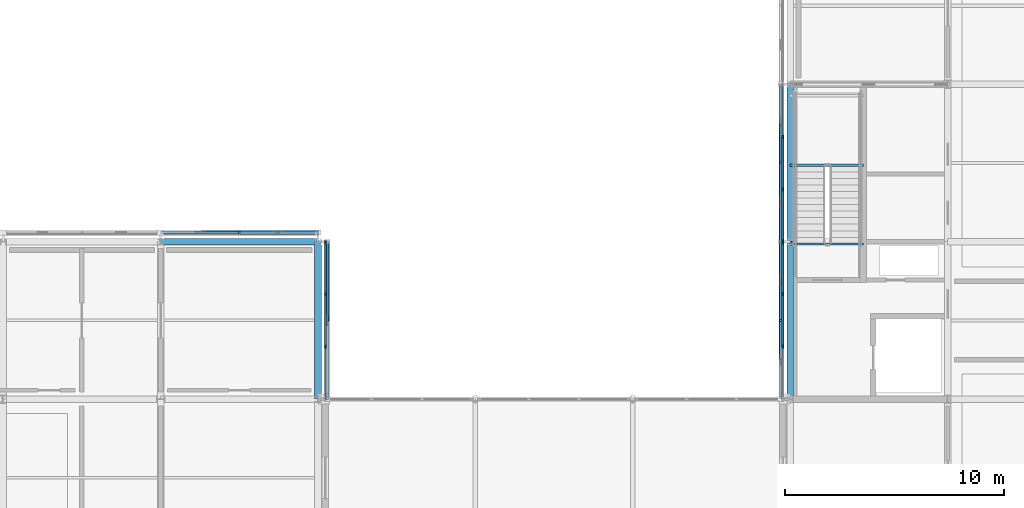
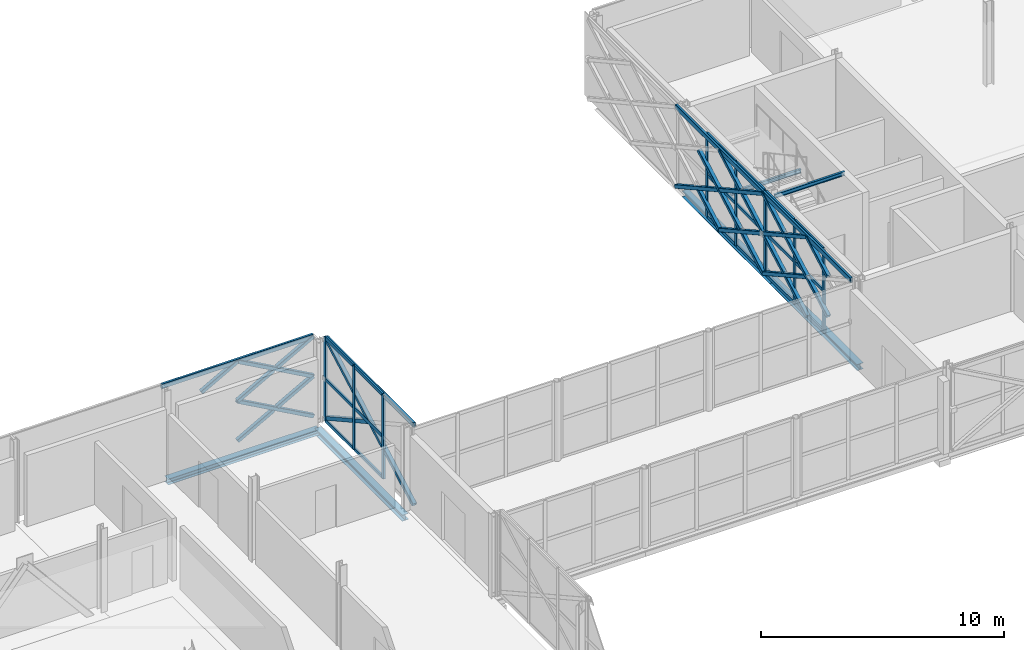
# One storey, part 51 of 103: 57 members, 6 beams, 3 elements without a shape of their own.
"""IFC4 building model written with IfcOpenShell, lengths in metres."""

from ifc_helpers import new_model, si_unit, direction, frame, origin, origin_2d, place, context, subcontext, project, spatial, rectangle, hollow_rectangle, i_section, extrude, material, material_profile, profile_set, type_object, element, aggregate, save


model = new_model("IFC4")

# Units and contexts
model_context = context("Model", 3, precision=1e-05, world=origin(), true_north=direction((0.0, 1.0)))
body_context = subcontext(model_context, "Body", "Model", "MODEL_VIEW")
ifc_project = project(units=[si_unit("LENGTHUNIT", "METRE"), si_unit("AREAUNIT", "SQUARE_METRE"), si_unit("VOLUMEUNIT", "CUBIC_METRE"), si_unit("PLANEANGLEUNIT", "RADIAN"), si_unit("MASSUNIT", "GRAM", prefix="KILO")], contexts=[model_context])

# Site, building, storey
site_placement = place(None, origin())
site = spatial("IfcSite", under=ifc_project, at=site_placement, CompositionType="ELEMENT")
building_placement = place(site_placement, origin())
building = spatial("IfcBuilding", under=site, at=building_placement, Name="Zlatovets Crest Museum", CompositionType="ELEMENT")
storey_placement = place(building_placement, frame((0.0, 0.0, 12.89990234375)))
storey = spatial("IfcBuildingStorey", under=building, at=storey_placement, Name="L03", CompositionType="ELEMENT", Elevation=12.89990234375)

# Beams
ifc_material_1 = material(Name="Structural steel S355J2", Category="steel")
ifc_material_profile_1 = material_profile(ifc_material_1, i_section(OverallWidth=0.300048828125, OverallDepth=0.31005859375, WebThickness=0.009033203125, FlangeThickness=0.015380859375, FilletRadius=0.027099609375, at=origin_2d()), Name="HEA 320")
ifc_profile_set_1 = profile_set([ifc_material_profile_1], Name="Structural steel S355J2")
beam_type_1 = type_object("IfcBeamType", Name="Beam_B-04", PredefinedType="BEAM", material=ifc_profile_set_1)
for number, where, z_axis, x_axis, name in (
    (1, (57.60009765625, 93.60009765625, -0.39501953125), (0.0, 1.0, 0.0), (-1.0, 0.0, 0.0), "V1 L03 Grid Beam B-04"),
    (2, (57.60009765625, 100.800048828125, -0.39501953125), (0.0, 1.0, 0.0), (-1.0, 0.0, 0.0), "V1 L03 Grid Beam B-04"),
    (3, (36.0, 93.60009765625, -0.39501953125), (0.0, 1.0, 0.0), (-1.0, 0.0, 0.0), "V4 L03 Grid Beam B-04"),
):
    element("IfcBeam", number, at=place(storey_placement, frame(where, z_axis=z_axis, x_axis=x_axis)), inside=storey, type_object=beam_type_1, Name=name, PredefinedType="BEAM", context=body_context, shape_type="SweptSolid", body=[
        extrude(i_section(OverallWidth=0.300048828125, OverallDepth=0.31005859375, WebThickness=0.009033203125, FlangeThickness=0.015380859375, FilletRadius=0.027099609375, at=origin_2d()), origin(), (0.0, 0.0, 1.0), 7.199951171875),
    ])
ifc_material_profile_2 = material_profile(ifc_material_1, i_section(OverallWidth=0.300048828125, OverallDepth=0.2900390625, WebThickness=0.008544921875, FlangeThickness=0.013916015625, FilletRadius=0.027099609375, at=origin_2d()), Name="HEA 300")
ifc_profile_set_2 = profile_set([ifc_material_profile_2], Name="Structural steel S355J2")
beam_type_2 = type_object("IfcBeamType", Name="Beam_B-12", PredefinedType="BEAM", material=ifc_profile_set_2)
beam_placement = place(storey_placement, frame((28.800048828125, 100.800048828125, -0.385009765625), z_axis=(1.0, 0.0, 0.0), x_axis=(0.0, 1.0, 0.0)))
element("IfcBeam", 4, at=beam_placement, inside=storey, type_object=beam_type_2, Name="V4 L03 Primary Girder B-12", PredefinedType="BEAM", context=body_context, shape_type="SweptSolid", body=[
    extrude(i_section(OverallWidth=0.300048828125, OverallDepth=0.2900390625, WebThickness=0.008544921875, FlangeThickness=0.013916015625, FilletRadius=0.027099609375, at=origin_2d()), origin(), (0.0, 0.0, 1.0), 7.199951171875),
])
ifc_material_profile_3 = material_profile(ifc_material_1, i_section(OverallWidth=0.10009765625, OverallDepth=0.199951171875, WebThickness=0.005615234375, FlangeThickness=0.008544921875, FilletRadius=0.011962890625, at=origin_2d()), Name="IPE 200")
ifc_profile_set_3 = profile_set([ifc_material_profile_3], Name="Structural steel S355J2")
beam_type_3 = type_object("IfcBeamType", Name="Beam_PR-02", PredefinedType="LINTEL", material=ifc_profile_set_3)
for number, where, z_axis, x_axis, name in (
    (5, (57.60009765625, 100.699951171875, 3.860107421875), (1.0, 0.0, 0.0), (0.0, 1.0, 0.0), "Core C1 L03 Stair Well Header Beam"),
    (6, (57.60009765625, 104.300048828125, 1.800048828125), (1.0, 0.0, 0.0), (0.0, 1.0, 0.0), "Core C1 L03 Half-Landing Support Beam"),
):
    element("IfcBeam", number, at=place(storey_placement, frame(where, z_axis=z_axis, x_axis=x_axis)), inside=storey, type_object=beam_type_3, Name=name, PredefinedType="LINTEL", context=body_context, shape_type="SweptSolid", body=[
        extrude(i_section(OverallWidth=0.10009765625, OverallDepth=0.199951171875, WebThickness=0.005615234375, FlangeThickness=0.008544921875, FilletRadius=0.011962890625, at=origin_2d()), origin(), (0.0, 0.0, 1.0), 3.349853515625),
    ])

# Curtain wall, members
ifc_material_2 = material(Name="Bronze-anodised aluminium and low-E triple glass", Category="aluminium")
curtain_wall_type_1 = type_object("IfcCurtainWallType", Name="CW_CW-V1-L03-M3", PredefinedType="NOTDEFINED", material=ifc_material_2)
curtain_wall_1_placement = place(storey_placement, origin())
curtain_wall_1 = element("IfcCurtainWall", 7, at=curtain_wall_1_placement, inside=storey, type_object=curtain_wall_type_1, Name="V1 L03 Expressed Core Glazed Facade", PredefinedType="NOTDEFINED")
ifc_material_3 = material(Name="Bronze-anodised aluminium EN AW-6060", Category="aluminium")
ifc_material_profile_4 = material_profile(ifc_material_3, rectangle(XDim=0.080078125, YDim=0.159912109375, at=origin_2d()), Name="ALU 80x160")
ifc_profile_set_4 = profile_set([ifc_material_profile_4], Name="Bronze-anodised aluminium EN AW-6060")
member_type_1 = type_object("IfcMemberType", Name="CWMull_M1", PredefinedType="MULLION", material=ifc_profile_set_4)
member_1_placement = place(storey_placement, frame((57.260009765625, 105.60009765625, 0.0), z_axis=(0.0, 0.0, 1.0), x_axis=(1.0, 0.0, 0.0)))
member_1 = element("IfcMember", 8, at=member_1_placement, type_object=member_type_1, Name="CW-V1-L03-M3 mullion 2", PredefinedType="MULLION", context=body_context, shape_type="SweptSolid", body=[
    extrude(rectangle(XDim=0.080078125, YDim=0.159912109375, at=origin_2d()), origin(), (0.0, 0.0, 1.0), 4.2001953125),
])
member_2_placement = place(storey_placement, frame((57.260009765625, 103.199951171875, 0.0), z_axis=(0.0, 0.0, 1.0), x_axis=(1.0, 0.0, 0.0)))
member_2 = element("IfcMember", 9, at=member_2_placement, type_object=member_type_1, Name="CW-V1-L03-M3 mullion 3", PredefinedType="MULLION", context=body_context, shape_type="SweptSolid", body=[
    extrude(rectangle(XDim=0.080078125, YDim=0.159912109375, at=origin_2d()), origin(), (0.0, 0.0, 1.0), 4.2001953125),
])
member_3_placement = place(storey_placement, frame((57.260009765625, 100.830078125, 0.0), z_axis=(0.0, 0.0, 1.0), x_axis=(1.0, 0.0, 0.0)))
member_3 = element("IfcMember", 10, at=member_3_placement, type_object=member_type_1, Name="CW-V1-L03-M3 mullion 4", PredefinedType="MULLION", context=body_context, shape_type="SweptSolid", body=[
    extrude(rectangle(XDim=0.080078125, YDim=0.159912109375, at=origin_2d()), origin(), (0.0, 0.0, 1.0), 4.2001953125),
])

curtain_wall_type_2 = type_object("IfcCurtainWallType", Name="CW_CW-V1-L03-M0", PredefinedType="NOTDEFINED", material=ifc_material_2)
curtain_wall_2_placement = place(storey_placement, origin())
curtain_wall_2 = element("IfcCurtainWall", 11, at=curtain_wall_2_placement, inside=storey, type_object=curtain_wall_type_2, Name="V1 L03 Expressed Core Glazed Facade", PredefinedType="NOTDEFINED")
member_4_placement = place(storey_placement, frame((57.260009765625, 100.77001953125, 0.0), z_axis=(0.0, 0.0, 1.0), x_axis=(1.0, 0.0, 0.0)))
member_4 = element("IfcMember", 12, at=member_4_placement, type_object=member_type_1, Name="CW-V1-L03-M0 mullion 1", PredefinedType="MULLION", context=body_context, shape_type="SweptSolid", body=[
    extrude(rectangle(XDim=0.080078125, YDim=0.159912109375, at=origin_2d()), origin(), (0.0, 0.0, 1.0), 4.2001953125),
])
member_5_placement = place(storey_placement, frame((57.260009765625, 98.39990234375, 0.0), z_axis=(0.0, 0.0, 1.0), x_axis=(1.0, 0.0, 0.0)))
member_5 = element("IfcMember", 13, at=member_5_placement, type_object=member_type_1, Name="CW-V1-L03-M0 mullion 2", PredefinedType="MULLION", context=body_context, shape_type="SweptSolid", body=[
    extrude(rectangle(XDim=0.080078125, YDim=0.159912109375, at=origin_2d()), origin(), (0.0, 0.0, 1.0), 4.2001953125),
])
member_6_placement = place(storey_placement, frame((57.260009765625, 96.0, 0.0), z_axis=(0.0, 0.0, 1.0), x_axis=(1.0, 0.0, 0.0)))
member_6 = element("IfcMember", 14, at=member_6_placement, type_object=member_type_1, Name="CW-V1-L03-M0 mullion 3", PredefinedType="MULLION", context=body_context, shape_type="SweptSolid", body=[
    extrude(rectangle(XDim=0.080078125, YDim=0.159912109375, at=origin_2d()), origin(), (0.0, 0.0, 1.0), 4.2001953125),
])

curtain_wall_type_3 = type_object("IfcCurtainWallType", Name="CW_CW-V4-L03-M2", PredefinedType="NOTDEFINED", material=ifc_material_2)
curtain_wall_3_placement = place(storey_placement, origin())
curtain_wall_3 = element("IfcCurtainWall", 15, at=curtain_wall_3_placement, inside=storey, type_object=curtain_wall_type_3, Name="V4 L03 Secession Foyer Clear Curtain Wall", PredefinedType="NOTDEFINED")
member_7_placement = place(storey_placement, frame((36.340087890625, 96.0, 0.0), z_axis=(0.0, 0.0, 1.0), x_axis=(-1.0, 0.0, 0.0)))
member_7 = element("IfcMember", 16, at=member_7_placement, type_object=member_type_1, Name="CW-V4-L03-M2 mullion 2", PredefinedType="MULLION", context=body_context, shape_type="SweptSolid", body=[
    extrude(rectangle(XDim=0.080078125, YDim=0.159912109375, at=origin_2d()), origin(), (0.0, 0.0, 1.0), 4.2001953125),
])
member_8_placement = place(storey_placement, frame((36.340087890625, 98.39990234375, 0.0), z_axis=(0.0, 0.0, 1.0), x_axis=(-1.0, 0.0, 0.0)))
member_8 = element("IfcMember", 17, at=member_8_placement, type_object=member_type_1, Name="CW-V4-L03-M2 mullion 3", PredefinedType="MULLION", context=body_context, shape_type="SweptSolid", body=[
    extrude(rectangle(XDim=0.080078125, YDim=0.159912109375, at=origin_2d()), origin(), (0.0, 0.0, 1.0), 4.2001953125),
])
member_9_placement = place(storey_placement, frame((36.340087890625, 100.77001953125, 0.0), z_axis=(0.0, 0.0, 1.0), x_axis=(-1.0, 0.0, 0.0)))
member_9 = element("IfcMember", 18, at=member_9_placement, type_object=member_type_1, Name="CW-V4-L03-M2 mullion 4", PredefinedType="MULLION", context=body_context, shape_type="SweptSolid", body=[
    extrude(rectangle(XDim=0.080078125, YDim=0.159912109375, at=origin_2d()), origin(), (0.0, 0.0, 1.0), 4.2001953125),
])

# Member
ifc_material_profile_5 = material_profile(ifc_material_3, rectangle(XDim=0.080078125, YDim=0.159912109375, at=origin_2d()), Name="ALU 80x160")
ifc_profile_set_5 = profile_set([ifc_material_profile_5], Name="Bronze-anodised aluminium EN AW-6060")
member_type_2 = type_object("IfcMemberType", Name="CWTrans_T1", PredefinedType="USERDEFINED", material=ifc_profile_set_5)
member_10_placement = place(storey_placement, frame((57.260009765625, 105.570068359375, 0.030029296875), z_axis=(0.0, -1.0, 0.0), x_axis=(1.0, 0.0, 0.0)))
member_10 = element("IfcMember", 19, at=member_10_placement, type_object=member_type_2, Name="CW-V1-L03-M3 transom 2.1", ObjectType="TRANSOM", PredefinedType="USERDEFINED", context=body_context, shape_type="SweptSolid", body=[
    extrude(rectangle(XDim=0.080078125, YDim=0.159912109375, at=origin_2d()), origin(), (0.0, 0.0, 1.0), 2.340087890625),
])

member_11_placement = place(storey_placement, frame((57.260009765625, 105.570068359375, 2.10009765625), z_axis=(0.0, -1.0, 0.0), x_axis=(1.0, 0.0, 0.0)))
member_11 = element("IfcMember", 20, at=member_11_placement, type_object=member_type_2, Name="CW-V1-L03-M3 transom 2.2", ObjectType="TRANSOM", PredefinedType="USERDEFINED", context=body_context, shape_type="SweptSolid", body=[
    extrude(rectangle(XDim=0.080078125, YDim=0.159912109375, at=origin_2d()), origin(), (0.0, 0.0, 1.0), 2.340087890625),
])

member_12_placement = place(storey_placement, frame((57.260009765625, 105.570068359375, 4.170166015625), z_axis=(0.0, -1.0, 0.0), x_axis=(1.0, 0.0, 0.0)))
member_12 = element("IfcMember", 21, at=member_12_placement, type_object=member_type_2, Name="CW-V1-L03-M3 transom 2.3", ObjectType="TRANSOM", PredefinedType="USERDEFINED", context=body_context, shape_type="SweptSolid", body=[
    extrude(rectangle(XDim=0.080078125, YDim=0.159912109375, at=origin_2d()), origin(), (0.0, 0.0, 1.0), 2.340087890625),
])

member_13_placement = place(storey_placement, frame((57.260009765625, 103.169921875, 0.030029296875), z_axis=(0.0, -1.0, 0.0), x_axis=(1.0, 0.0, 0.0)))
member_13 = element("IfcMember", 22, at=member_13_placement, type_object=member_type_2, Name="CW-V1-L03-M3 transom 3.1", ObjectType="TRANSOM", PredefinedType="USERDEFINED", context=body_context, shape_type="SweptSolid", body=[
    extrude(rectangle(XDim=0.080078125, YDim=0.159912109375, at=origin_2d()), origin(), (0.0, 0.0, 1.0), 2.309814453125),
])

member_14_placement = place(storey_placement, frame((57.260009765625, 103.169921875, 2.10009765625), z_axis=(0.0, -1.0, 0.0), x_axis=(1.0, 0.0, 0.0)))
member_14 = element("IfcMember", 23, at=member_14_placement, type_object=member_type_2, Name="CW-V1-L03-M3 transom 3.2", ObjectType="TRANSOM", PredefinedType="USERDEFINED", context=body_context, shape_type="SweptSolid", body=[
    extrude(rectangle(XDim=0.080078125, YDim=0.159912109375, at=origin_2d()), origin(), (0.0, 0.0, 1.0), 2.309814453125),
])

member_15_placement = place(storey_placement, frame((57.260009765625, 103.169921875, 4.170166015625), z_axis=(0.0, -1.0, 0.0), x_axis=(1.0, 0.0, 0.0)))
member_15 = element("IfcMember", 24, at=member_15_placement, type_object=member_type_2, Name="CW-V1-L03-M3 transom 3.3", ObjectType="TRANSOM", PredefinedType="USERDEFINED", context=body_context, shape_type="SweptSolid", body=[
    extrude(rectangle(XDim=0.080078125, YDim=0.159912109375, at=origin_2d()), origin(), (0.0, 0.0, 1.0), 2.309814453125),
])

aggregate(curtain_wall_1, [member_1, member_2, member_3, member_10, member_11, member_12, member_13, member_14, member_15])

member_16_placement = place(storey_placement, frame((57.260009765625, 100.739990234375, 0.030029296875), z_axis=(0.0, -1.0, 0.0), x_axis=(1.0, 0.0, 0.0)))
member_16 = element("IfcMember", 25, at=member_16_placement, type_object=member_type_2, Name="CW-V1-L03-M0 transom 1.1", ObjectType="TRANSOM", PredefinedType="USERDEFINED", context=body_context, shape_type="SweptSolid", body=[
    extrude(rectangle(XDim=0.080078125, YDim=0.159912109375, at=origin_2d()), origin(), (0.0, 0.0, 1.0), 2.31005859375),
])

member_17_placement = place(storey_placement, frame((57.260009765625, 100.739990234375, 2.10009765625), z_axis=(0.0, -1.0, 0.0), x_axis=(1.0, 0.0, 0.0)))
member_17 = element("IfcMember", 26, at=member_17_placement, type_object=member_type_2, Name="CW-V1-L03-M0 transom 1.2", ObjectType="TRANSOM", PredefinedType="USERDEFINED", context=body_context, shape_type="SweptSolid", body=[
    extrude(rectangle(XDim=0.080078125, YDim=0.159912109375, at=origin_2d()), origin(), (0.0, 0.0, 1.0), 2.31005859375),
])

member_18_placement = place(storey_placement, frame((57.260009765625, 100.739990234375, 4.170166015625), z_axis=(0.0, -1.0, 0.0), x_axis=(1.0, 0.0, 0.0)))
member_18 = element("IfcMember", 27, at=member_18_placement, type_object=member_type_2, Name="CW-V1-L03-M0 transom 1.3", ObjectType="TRANSOM", PredefinedType="USERDEFINED", context=body_context, shape_type="SweptSolid", body=[
    extrude(rectangle(XDim=0.080078125, YDim=0.159912109375, at=origin_2d()), origin(), (0.0, 0.0, 1.0), 2.31005859375),
])

member_19_placement = place(storey_placement, frame((57.260009765625, 98.3701171875, 0.030029296875), z_axis=(0.0, -1.0, 0.0), x_axis=(1.0, 0.0, 0.0)))
member_19 = element("IfcMember", 28, at=member_19_placement, type_object=member_type_2, Name="CW-V1-L03-M0 transom 2.1", ObjectType="TRANSOM", PredefinedType="USERDEFINED", context=body_context, shape_type="SweptSolid", body=[
    extrude(rectangle(XDim=0.080078125, YDim=0.159912109375, at=origin_2d()), origin(), (0.0, 0.0, 1.0), 2.340087890625),
])

member_20_placement = place(storey_placement, frame((57.260009765625, 98.3701171875, 2.10009765625), z_axis=(0.0, -1.0, 0.0), x_axis=(1.0, 0.0, 0.0)))
member_20 = element("IfcMember", 29, at=member_20_placement, type_object=member_type_2, Name="CW-V1-L03-M0 transom 2.2", ObjectType="TRANSOM", PredefinedType="USERDEFINED", context=body_context, shape_type="SweptSolid", body=[
    extrude(rectangle(XDim=0.080078125, YDim=0.159912109375, at=origin_2d()), origin(), (0.0, 0.0, 1.0), 2.340087890625),
])

member_21_placement = place(storey_placement, frame((57.260009765625, 98.3701171875, 4.170166015625), z_axis=(0.0, -1.0, 0.0), x_axis=(1.0, 0.0, 0.0)))
member_21 = element("IfcMember", 30, at=member_21_placement, type_object=member_type_2, Name="CW-V1-L03-M0 transom 2.3", ObjectType="TRANSOM", PredefinedType="USERDEFINED", context=body_context, shape_type="SweptSolid", body=[
    extrude(rectangle(XDim=0.080078125, YDim=0.159912109375, at=origin_2d()), origin(), (0.0, 0.0, 1.0), 2.340087890625),
])

aggregate(curtain_wall_2, [member_4, member_5, member_6, member_16, member_17, member_18, member_19, member_20, member_21])

member_22_placement = place(storey_placement, frame((36.340087890625, 96.030029296875, 0.030029296875), z_axis=(0.0, 1.0, 0.0), x_axis=(-1.0, 0.0, 0.0)))
member_22 = element("IfcMember", 31, at=member_22_placement, type_object=member_type_2, Name="CW-V4-L03-M2 transom 2.1", ObjectType="TRANSOM", PredefinedType="USERDEFINED", context=body_context, shape_type="SweptSolid", body=[
    extrude(rectangle(XDim=0.080078125, YDim=0.159912109375, at=origin_2d()), origin(), (0.0, 0.0, 1.0), 2.340087890625),
])

member_23_placement = place(storey_placement, frame((36.340087890625, 96.030029296875, 2.10009765625), z_axis=(0.0, 1.0, 0.0), x_axis=(-1.0, 0.0, 0.0)))
member_23 = element("IfcMember", 32, at=member_23_placement, type_object=member_type_2, Name="CW-V4-L03-M2 transom 2.2", ObjectType="TRANSOM", PredefinedType="USERDEFINED", context=body_context, shape_type="SweptSolid", body=[
    extrude(rectangle(XDim=0.080078125, YDim=0.159912109375, at=origin_2d()), origin(), (0.0, 0.0, 1.0), 2.340087890625),
])

member_24_placement = place(storey_placement, frame((36.340087890625, 96.030029296875, 4.170166015625), z_axis=(0.0, 1.0, 0.0), x_axis=(-1.0, 0.0, 0.0)))
member_24 = element("IfcMember", 33, at=member_24_placement, type_object=member_type_2, Name="CW-V4-L03-M2 transom 2.3", ObjectType="TRANSOM", PredefinedType="USERDEFINED", context=body_context, shape_type="SweptSolid", body=[
    extrude(rectangle(XDim=0.080078125, YDim=0.159912109375, at=origin_2d()), origin(), (0.0, 0.0, 1.0), 2.340087890625),
])

member_25_placement = place(storey_placement, frame((36.340087890625, 98.429931640625, 0.030029296875), z_axis=(0.0, 1.0, 0.0), x_axis=(-1.0, 0.0, 0.0)))
member_25 = element("IfcMember", 34, at=member_25_placement, type_object=member_type_2, Name="CW-V4-L03-M2 transom 3.1", ObjectType="TRANSOM", PredefinedType="USERDEFINED", context=body_context, shape_type="SweptSolid", body=[
    extrude(rectangle(XDim=0.080078125, YDim=0.159912109375, at=origin_2d()), origin(), (0.0, 0.0, 1.0), 2.31005859375),
])

member_26_placement = place(storey_placement, frame((36.340087890625, 98.429931640625, 2.10009765625), z_axis=(0.0, 1.0, 0.0), x_axis=(-1.0, 0.0, 0.0)))
member_26 = element("IfcMember", 35, at=member_26_placement, type_object=member_type_2, Name="CW-V4-L03-M2 transom 3.2", ObjectType="TRANSOM", PredefinedType="USERDEFINED", context=body_context, shape_type="SweptSolid", body=[
    extrude(rectangle(XDim=0.080078125, YDim=0.159912109375, at=origin_2d()), origin(), (0.0, 0.0, 1.0), 2.31005859375),
])

member_27_placement = place(storey_placement, frame((36.340087890625, 98.429931640625, 4.170166015625), z_axis=(0.0, 1.0, 0.0), x_axis=(-1.0, 0.0, 0.0)))
member_27 = element("IfcMember", 36, at=member_27_placement, type_object=member_type_2, Name="CW-V4-L03-M2 transom 3.3", ObjectType="TRANSOM", PredefinedType="USERDEFINED", context=body_context, shape_type="SweptSolid", body=[
    extrude(rectangle(XDim=0.080078125, YDim=0.159912109375, at=origin_2d()), origin(), (0.0, 0.0, 1.0), 2.31005859375),
])

aggregate(curtain_wall_3, [member_7, member_8, member_9, member_22, member_23, member_24, member_25, member_26, member_27])

# Members
ifc_material_4 = material(Name="Weathering bronze-steel S355J2W", Category="steel")
ifc_material_profile_6 = material_profile(ifc_material_4, hollow_rectangle(XDim=0.179931640625, YDim=0.179931640625, WallThickness=0.010009765625, InnerFilletRadius=0.010009765625, OuterFilletRadius=0.02001953125, at=origin_2d()), Name="SHS 180x180x10.0")
ifc_profile_set_6 = profile_set([ifc_material_profile_6], Name="Weathering bronze-steel S355J2W")
member_type_3 = type_object("IfcMemberType", Name="Lattice_XL-01", PredefinedType="BRACE", material=ifc_profile_set_6)
member_28_placement = place(storey_placement, frame((57.179931640625, 108.0, 0.10009765625), z_axis=(0.0, -0.874162868644, 0.485632864501), x_axis=(1.0, 0.0, 0.0)))
element("IfcMember", 37, at=member_28_placement, inside=storey, type_object=member_type_3, Name="Continuous Bronze Lattice Diagonal", PredefinedType="BRACE", context=body_context, shape_type="SweptSolid", body=[
    extrude(hollow_rectangle(XDim=0.179931640625, YDim=0.179931640625, WallThickness=0.010009765625, InnerFilletRadius=0.010009765625, OuterFilletRadius=0.02001953125, at=origin_2d()), origin(), (0.0, 0.0, 1.0), 4.118408203125),
])
member_29_placement = place(storey_placement, frame((57.179931640625, 106.116943359375, 1.053955078125), z_axis=(0.0, -0.874169001841, -0.485621824284), x_axis=(1.0, 0.0, 0.0)))
element("IfcMember", 38, at=member_29_placement, inside=storey, type_object=member_type_3, Name="Split Crossing Bronze Lattice Diagonal Lower", PredefinedType="BRACE", context=body_context, shape_type="SweptSolid", body=[
    extrude(hollow_rectangle(XDim=0.179931640625, YDim=0.179931640625, WallThickness=0.010009765625, InnerFilletRadius=0.010009765625, OuterFilletRadius=0.02001953125, at=origin_2d()), origin(), (0.0, 0.0, 1.0), 1.964111328125),
])
member_30_placement = place(storey_placement, frame((57.179931640625, 104.39990234375, 0.10009765625), z_axis=(0.0, -0.874148886685, 0.485658031857), x_axis=(1.0, 0.0, 0.0)))
element("IfcMember", 39, at=member_30_placement, inside=storey, type_object=member_type_3, Name="Continuous Bronze Lattice Diagonal", PredefinedType="BRACE", context=body_context, shape_type="SweptSolid", body=[
    extrude(hollow_rectangle(XDim=0.179931640625, YDim=0.179931640625, WallThickness=0.010009765625, InnerFilletRadius=0.010009765625, OuterFilletRadius=0.02001953125, at=origin_2d()), origin(), (0.0, 0.0, 1.0), 4.1181640625),
])
member_31_placement = place(storey_placement, frame((57.179931640625, 104.39990234375, 2.10009765625), z_axis=(0.0, -0.874139684676, -0.48567459443), x_axis=(1.0, 0.0, 0.0)))
element("IfcMember", 40, at=member_31_placement, inside=storey, type_object=member_type_3, Name="Split Crossing Bronze Lattice Diagonal Upper", PredefinedType="BRACE", context=body_context, shape_type="SweptSolid", body=[
    extrude(hollow_rectangle(XDim=0.179931640625, YDim=0.179931640625, WallThickness=0.010009765625, InnerFilletRadius=0.010009765625, OuterFilletRadius=0.02001953125, at=origin_2d()), origin(), (0.0, 0.0, 1.0), 1.9638671875),
])
for number, where, z_axis, x_axis, name in (
    (41, (57.179931640625, 102.51708984375, 1.053955078125), (0.0, -0.874169001841, -0.485621824284), (1.0, 0.0, 0.0), "Split Crossing Bronze Lattice Diagonal Lower"),
    (42, (57.179931640625, 106.116943359375, 3.053955078125), (0.0, -0.874169001841, -0.485621824284), (1.0, 0.0, 0.0), "Split Crossing Bronze Lattice Diagonal Lower"),
):
    element("IfcMember", number, at=place(storey_placement, frame(where, z_axis=z_axis, x_axis=x_axis)), inside=storey, type_object=member_type_3, Name=name, PredefinedType="BRACE", context=body_context, shape_type="SweptSolid", body=[
        extrude(hollow_rectangle(XDim=0.179931640625, YDim=0.179931640625, WallThickness=0.010009765625, InnerFilletRadius=0.010009765625, OuterFilletRadius=0.02001953125, at=origin_2d()), origin(), (0.0, 0.0, 1.0), 1.964111328125),
    ])
member_32_placement = place(storey_placement, frame((57.179931640625, 104.39990234375, 2.10009765625), z_axis=(0.0, -0.874148886685, 0.485658031857), x_axis=(1.0, 0.0, 0.0)))
element("IfcMember", 43, at=member_32_placement, inside=storey, type_object=member_type_3, Name="Continuous Bronze Lattice Diagonal", PredefinedType="BRACE", context=body_context, shape_type="SweptSolid", body=[
    extrude(hollow_rectangle(XDim=0.179931640625, YDim=0.179931640625, WallThickness=0.010009765625, InnerFilletRadius=0.010009765625, OuterFilletRadius=0.02001953125, at=origin_2d()), origin(), (0.0, 0.0, 1.0), 4.1181640625),
])
member_33_placement = place(storey_placement, frame((57.179931640625, 104.39990234375, 4.10009765625), z_axis=(0.0, -0.874139684676, -0.48567459443), x_axis=(1.0, 0.0, 0.0)))
element("IfcMember", 44, at=member_33_placement, inside=storey, type_object=member_type_3, Name="Split Crossing Bronze Lattice Diagonal Upper", PredefinedType="BRACE", context=body_context, shape_type="SweptSolid", body=[
    extrude(hollow_rectangle(XDim=0.179931640625, YDim=0.179931640625, WallThickness=0.010009765625, InnerFilletRadius=0.010009765625, OuterFilletRadius=0.02001953125, at=origin_2d()), origin(), (0.0, 0.0, 1.0), 1.9638671875),
])
member_34_placement = place(storey_placement, frame((57.179931640625, 102.51708984375, 3.053955078125), z_axis=(0.0, -0.874169001841, -0.485621824284), x_axis=(1.0, 0.0, 0.0)))
element("IfcMember", 45, at=member_34_placement, inside=storey, type_object=member_type_3, Name="Split Crossing Bronze Lattice Diagonal Lower", PredefinedType="BRACE", context=body_context, shape_type="SweptSolid", body=[
    extrude(hollow_rectangle(XDim=0.179931640625, YDim=0.179931640625, WallThickness=0.010009765625, InnerFilletRadius=0.010009765625, OuterFilletRadius=0.02001953125, at=origin_2d()), origin(), (0.0, 0.0, 1.0), 1.964111328125),
])
member_35_placement = place(storey_placement, frame((57.179931640625, 100.800048828125, 0.10009765625), z_axis=(0.0, -0.874162868644, 0.485632864501), x_axis=(1.0, 0.0, 0.0)))
element("IfcMember", 46, at=member_35_placement, inside=storey, type_object=member_type_3, Name="Continuous Bronze Lattice Diagonal", PredefinedType="BRACE", context=body_context, shape_type="SweptSolid", body=[
    extrude(hollow_rectangle(XDim=0.179931640625, YDim=0.179931640625, WallThickness=0.010009765625, InnerFilletRadius=0.010009765625, OuterFilletRadius=0.02001953125, at=origin_2d()), origin(), (0.0, 0.0, 1.0), 4.118408203125),
])
for number, where, z_axis, x_axis, name in (
    (47, (57.179931640625, 100.800048828125, 2.10009765625), (0.0, -0.874169001841, -0.485621824284), (1.0, 0.0, 0.0), "Split Crossing Bronze Lattice Diagonal Upper"),
    (48, (57.179931640625, 98.9169921875, 1.053955078125), (0.0, -0.874169001841, -0.485621824284), (1.0, 0.0, 0.0), "Split Crossing Bronze Lattice Diagonal Lower"),
    (49, (57.179931640625, 97.199951171875, 2.10009765625), (0.0, -0.874169001841, -0.485621824284), (1.0, 0.0, 0.0), "Split Crossing Bronze Lattice Diagonal Upper"),
):
    element("IfcMember", number, at=place(storey_placement, frame(where, z_axis=z_axis, x_axis=x_axis)), inside=storey, type_object=member_type_3, Name=name, PredefinedType="BRACE", context=body_context, shape_type="SweptSolid", body=[
        extrude(hollow_rectangle(XDim=0.179931640625, YDim=0.179931640625, WallThickness=0.010009765625, InnerFilletRadius=0.010009765625, OuterFilletRadius=0.02001953125, at=origin_2d()), origin(), (0.0, 0.0, 1.0), 1.964111328125),
    ])
member_36_placement = place(storey_placement, frame((57.179931640625, 100.800048828125, 2.10009765625), z_axis=(0.0, -0.874162868644, 0.485632864501), x_axis=(1.0, 0.0, 0.0)))
element("IfcMember", 50, at=member_36_placement, inside=storey, type_object=member_type_3, Name="Continuous Bronze Lattice Diagonal", PredefinedType="BRACE", context=body_context, shape_type="SweptSolid", body=[
    extrude(hollow_rectangle(XDim=0.179931640625, YDim=0.179931640625, WallThickness=0.010009765625, InnerFilletRadius=0.010009765625, OuterFilletRadius=0.02001953125, at=origin_2d()), origin(), (0.0, 0.0, 1.0), 4.118408203125),
])
for number, where, z_axis, x_axis, name in (
    (51, (57.179931640625, 100.800048828125, 4.10009765625), (0.0, -0.874169001841, -0.485621824284), (1.0, 0.0, 0.0), "Split Crossing Bronze Lattice Diagonal Upper"),
    (52, (57.179931640625, 98.9169921875, 3.053955078125), (0.0, -0.874169001841, -0.485621824284), (1.0, 0.0, 0.0), "Split Crossing Bronze Lattice Diagonal Lower"),
    (53, (57.179931640625, 97.199951171875, 4.10009765625), (0.0, -0.874169001841, -0.485621824284), (1.0, 0.0, 0.0), "Split Crossing Bronze Lattice Diagonal Upper"),
):
    element("IfcMember", number, at=place(storey_placement, frame(where, z_axis=z_axis, x_axis=x_axis)), inside=storey, type_object=member_type_3, Name=name, PredefinedType="BRACE", context=body_context, shape_type="SweptSolid", body=[
        extrude(hollow_rectangle(XDim=0.179931640625, YDim=0.179931640625, WallThickness=0.010009765625, InnerFilletRadius=0.010009765625, OuterFilletRadius=0.02001953125, at=origin_2d()), origin(), (0.0, 0.0, 1.0), 1.964111328125),
    ])
member_37_placement = place(storey_placement, frame((36.0, 101.219970703125, 0.10009765625), z_axis=(-0.874162868644, 0.0, 0.485632864501), x_axis=(0.0, -1.0, 0.0)))
element("IfcMember", 54, at=member_37_placement, inside=storey, type_object=member_type_3, Name="Continuous Bronze Lattice Diagonal", PredefinedType="BRACE", context=body_context, shape_type="SweptSolid", body=[
    extrude(hollow_rectangle(XDim=0.179931640625, YDim=0.179931640625, WallThickness=0.010009765625, InnerFilletRadius=0.010009765625, OuterFilletRadius=0.02001953125, at=origin_2d()), origin(), (0.0, 0.0, 1.0), 4.118408203125),
])
for number, where, z_axis, x_axis, name in (
    (55, (36.0, 101.219970703125, 2.10009765625), (-0.874169001841, 0.0, -0.485621824284), (0.0, -1.0, 0.0), "Split Crossing Bronze Lattice Diagonal Upper"),
    (56, (34.116943359375, 101.219970703125, 1.053955078125), (-0.874169001841, 0.0, -0.485621824284), (0.0, -1.0, 0.0), "Split Crossing Bronze Lattice Diagonal Lower"),
):
    element("IfcMember", number, at=place(storey_placement, frame(where, z_axis=z_axis, x_axis=x_axis)), inside=storey, type_object=member_type_3, Name=name, PredefinedType="BRACE", context=body_context, shape_type="SweptSolid", body=[
        extrude(hollow_rectangle(XDim=0.179931640625, YDim=0.179931640625, WallThickness=0.010009765625, InnerFilletRadius=0.010009765625, OuterFilletRadius=0.02001953125, at=origin_2d()), origin(), (0.0, 0.0, 1.0), 1.964111328125),
    ])
member_38_placement = place(storey_placement, frame((36.0, 101.219970703125, 2.10009765625), z_axis=(-0.874162868644, 0.0, 0.485632864501), x_axis=(0.0, -1.0, 0.0)))
element("IfcMember", 57, at=member_38_placement, inside=storey, type_object=member_type_3, Name="Continuous Bronze Lattice Diagonal", PredefinedType="BRACE", context=body_context, shape_type="SweptSolid", body=[
    extrude(hollow_rectangle(XDim=0.179931640625, YDim=0.179931640625, WallThickness=0.010009765625, InnerFilletRadius=0.010009765625, OuterFilletRadius=0.02001953125, at=origin_2d()), origin(), (0.0, 0.0, 1.0), 4.118408203125),
])
for number, where, z_axis, x_axis, name in (
    (58, (36.0, 101.219970703125, 4.10009765625), (-0.874169001841, 0.0, -0.485621824284), (0.0, -1.0, 0.0), "Split Crossing Bronze Lattice Diagonal Upper"),
    (59, (34.116943359375, 101.219970703125, 3.053955078125), (-0.874169001841, 0.0, -0.485621824284), (0.0, -1.0, 0.0), "Split Crossing Bronze Lattice Diagonal Lower"),
):
    element("IfcMember", number, at=place(storey_placement, frame(where, z_axis=z_axis, x_axis=x_axis)), inside=storey, type_object=member_type_3, Name=name, PredefinedType="BRACE", context=body_context, shape_type="SweptSolid", body=[
        extrude(hollow_rectangle(XDim=0.179931640625, YDim=0.179931640625, WallThickness=0.010009765625, InnerFilletRadius=0.010009765625, OuterFilletRadius=0.02001953125, at=origin_2d()), origin(), (0.0, 0.0, 1.0), 1.964111328125),
    ])
member_39_placement = place(storey_placement, frame((32.39990234375, 101.219970703125, 4.10009765625), z_axis=(-0.874139684676, 0.0, -0.48567459443), x_axis=(0.0, -1.0, 0.0)))
element("IfcMember", 60, at=member_39_placement, inside=storey, type_object=member_type_3, Name="Split Crossing Bronze Lattice Diagonal Upper", PredefinedType="BRACE", context=body_context, shape_type="SweptSolid", body=[
    extrude(hollow_rectangle(XDim=0.179931640625, YDim=0.179931640625, WallThickness=0.010009765625, InnerFilletRadius=0.010009765625, OuterFilletRadius=0.02001953125, at=origin_2d()), origin(), (0.0, 0.0, 1.0), 1.9638671875),
])
ifc_material_profile_7 = material_profile(ifc_material_4, hollow_rectangle(XDim=0.199951171875, YDim=0.199951171875, WallThickness=0.012451171875, InnerFilletRadius=0.012451171875, OuterFilletRadius=0.02490234375, at=origin_2d()), Name="SHS 200x200x12.5")
ifc_profile_set_7 = profile_set([ifc_material_profile_7], Name="Weathering bronze-steel S355J2W")
member_type_4 = type_object("IfcMemberType", Name="Lattice_XL-02", PredefinedType="BRACE", material=ifc_profile_set_7)
member_40_placement = place(storey_placement, frame((36.419921875, 93.60009765625, 0.10009765625), z_axis=(0.0, 0.874155877937, 0.485645447903), x_axis=(-1.0, 0.0, 0.0)))
element("IfcMember", 61, at=member_40_placement, inside=storey, type_object=member_type_4, Name="Continuous Bronze Lattice Diagonal", PredefinedType="BRACE", context=body_context, shape_type="SweptSolid", body=[
    extrude(hollow_rectangle(XDim=0.199951171875, YDim=0.199951171875, WallThickness=0.012451171875, InnerFilletRadius=0.012451171875, OuterFilletRadius=0.02490234375, at=origin_2d()), origin(), (0.0, 0.0, 1.0), 8.236572265625),
])
member_41_placement = place(storey_placement, frame((36.419921875, 97.282958984375, 2.053955078125), z_axis=(0.0, 0.874165862873, -0.485627474703), x_axis=(-1.0, 0.0, 0.0)))
element("IfcMember", 62, at=member_41_placement, inside=storey, type_object=member_type_4, Name="Split Crossing Bronze Lattice Diagonal Lower", PredefinedType="BRACE", context=body_context, shape_type="SweptSolid", body=[
    extrude(hollow_rectangle(XDim=0.199951171875, YDim=0.199951171875, WallThickness=0.012451171875, InnerFilletRadius=0.012451171875, OuterFilletRadius=0.02490234375, at=origin_2d()), origin(), (0.0, 0.0, 1.0), 4.0234375),
])
ifc_material_profile_8 = material_profile(ifc_material_4, hollow_rectangle(XDim=0.1201171875, YDim=0.239990234375, WallThickness=0.010009765625, InnerFilletRadius=0.010009765625, OuterFilletRadius=0.02001953125, at=origin_2d()), Name="RHS 120x240x10.0")
ifc_profile_set_8 = profile_set([ifc_material_profile_8], Name="Weathering bronze-steel S355J2W")
member_type_5 = type_object("IfcMemberType", Name="Lattice_XL-04", PredefinedType="CHORD", material=ifc_profile_set_8)
for number, where, z_axis, x_axis, name in (
    (63, (57.179931640625, 108.0, 4.10009765625), (0.0, -1.0, 0.0), (1.0, 0.0, 0.0), "Art Nouveau Woven Cage Collector Ring Chord"),
    (64, (57.179931640625, 100.800048828125, 4.10009765625), (0.0, -1.0, 0.0), (1.0, 0.0, 0.0), "Art Nouveau Woven Cage Collector Ring Chord"),
    (65, (36.419921875, 93.60009765625, 4.10009765625), (0.0, 1.0, 0.0), (-1.0, 0.0, 0.0), "Art Nouveau Woven Cage Collector Ring Chord"),
    (66, (36.0, 101.219970703125, 4.10009765625), (-1.0, 0.0, 0.0), (0.0, -1.0, 0.0), "Art Nouveau Woven Cage Collector Ring Chord"),
):
    element("IfcMember", number, at=place(storey_placement, frame(where, z_axis=z_axis, x_axis=x_axis)), inside=storey, type_object=member_type_5, Name=name, PredefinedType="CHORD", context=body_context, shape_type="SweptSolid", body=[
        extrude(hollow_rectangle(XDim=0.1201171875, YDim=0.239990234375, WallThickness=0.010009765625, InnerFilletRadius=0.010009765625, OuterFilletRadius=0.02001953125, at=origin_2d()), origin(), (0.0, 0.0, 1.0), 7.199951171875),
    ])

save(model, "model.ifc")
